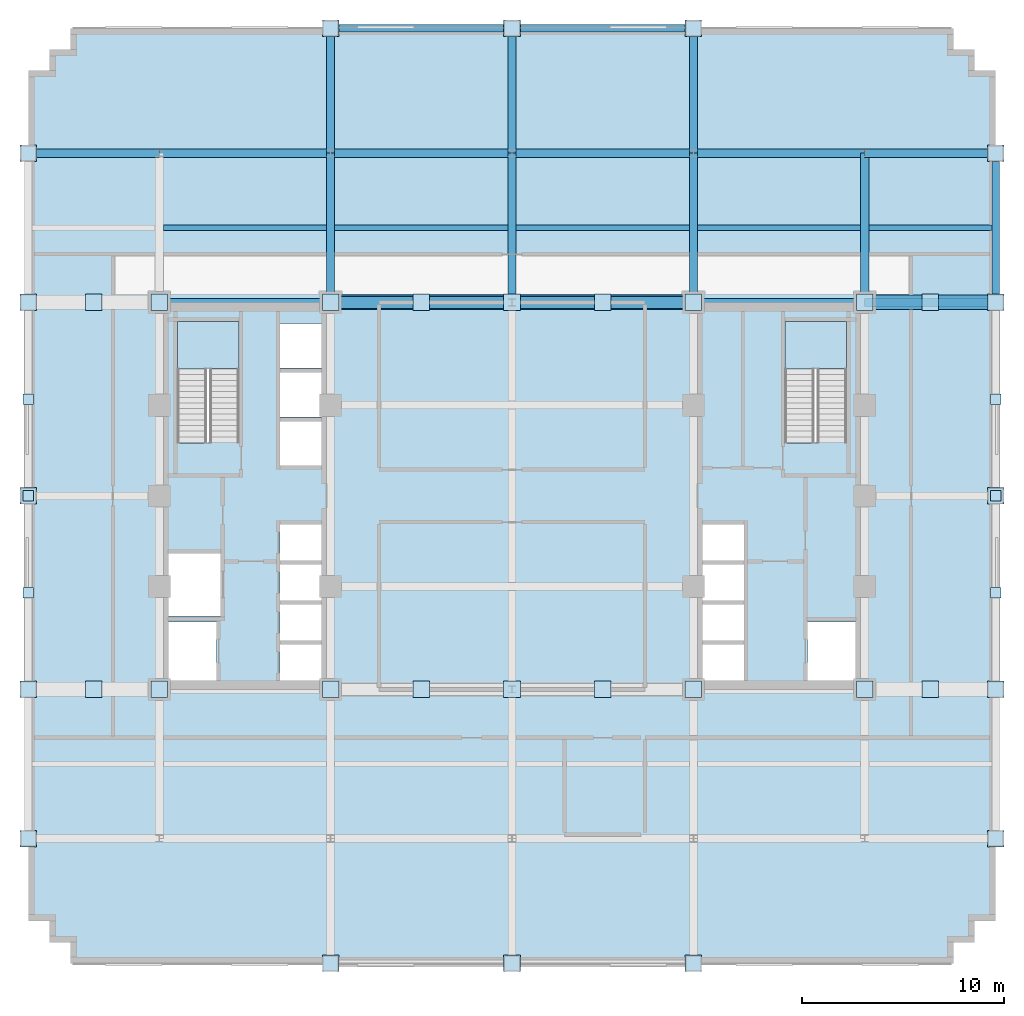
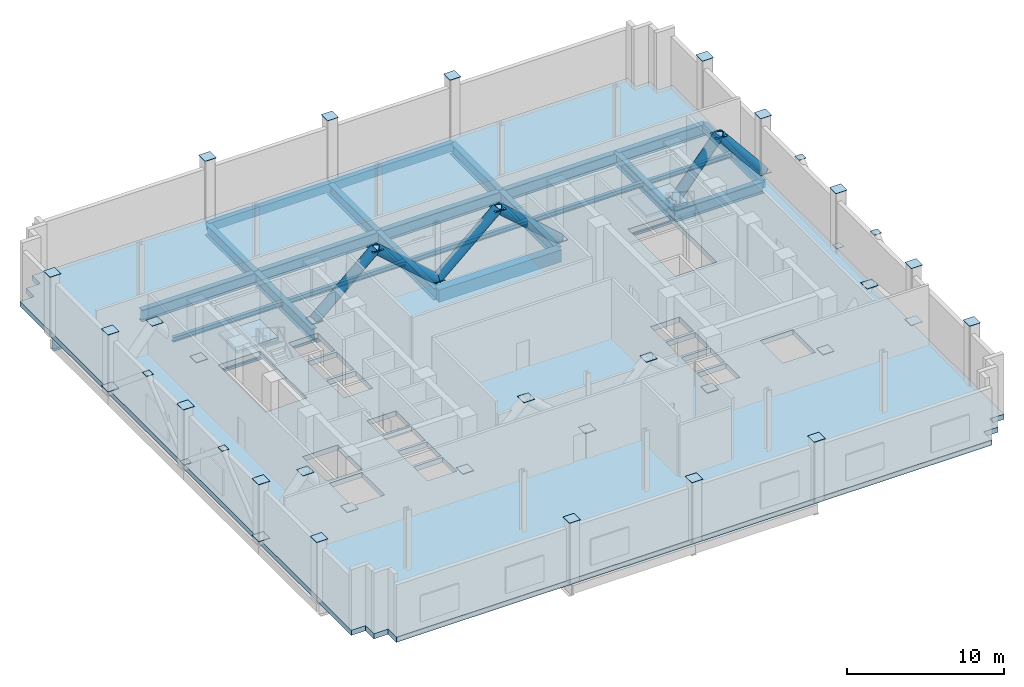
# One storey, part 5 of 12: 44 plates, 26 beams, 6 members, 3 slabs, 2 elements without a shape of their own.
"""IFC4 building model written with IfcOpenShell, lengths in metres."""

from ifc_helpers import new_model, si_unit, direction, frame, origin, origin_2d, place, context, subcontext, project, spatial, polyline, rectangle, hollow_circle, i_section, outline, extrude, source, transform, mapped, material, layer, layer_set, material_profile, profile_set, type_object, type_shapes, element, aggregate, save


model = new_model("IFC4")

# Units and contexts
model_context = context("Model", 3, precision=1e-05, world=origin(), true_north=direction((0.0, 1.0)))
body_context = subcontext(model_context, "Body", "Model", "MODEL_VIEW")
ifc_project = project(units=[si_unit("LENGTHUNIT", "METRE"), si_unit("AREAUNIT", "SQUARE_METRE"), si_unit("VOLUMEUNIT", "CUBIC_METRE"), si_unit("PLANEANGLEUNIT", "RADIAN"), si_unit("MASSUNIT", "GRAM", prefix="KILO")], contexts=[model_context])

# Site, building, storey
site_placement = place(None, origin())
site = spatial("IfcSite", under=ifc_project, at=site_placement, CompositionType="ELEMENT")
building_placement = place(site_placement, origin())
building = spatial("IfcBuilding", under=site, at=building_placement, Name="Nuvemarco Arch Tower", CompositionType="ELEMENT")
storey_placement = place(building_placement, frame((0.0, 0.0, 93.300048828125)))
storey = spatial("IfcBuildingStorey", under=building, at=storey_placement, Name="L24", CompositionType="ELEMENT", Elevation=93.300048828125)

# Beams
ifc_material_1 = material(Name="Concrete C60/75", Category="concrete")
ifc_material_profile_1 = material_profile(ifc_material_1, rectangle(XDim=0.60009765625, YDim=0.949951171875, at=origin_2d()), Name="RC-BM-600x950")
ifc_profile_set_1 = profile_set([ifc_material_profile_1], Name="Concrete C60/75")
beam_type_1 = type_object("IfcBeamType", Name="BM-COUP-RC", PredefinedType="LINTEL", material=ifc_profile_set_1)
for number, where, z_axis, x_axis, name in (
    (1, (-9.0, 9.60009765625, -0.875), (1.0, 0.0, 0.0), (0.0, 1.0, 0.0), "L24 structural beam BGEW_L24_0_+9.6_-9.0"),
    (2, (0.0, 9.60009765625, -0.875), (1.0, 0.0, 0.0), (0.0, 1.0, 0.0), "L24 structural beam BGEW_L24_0_+9.6_+0.0"),
):
    element("IfcBeam", number, at=place(storey_placement, frame(where, z_axis=z_axis, x_axis=x_axis)), inside=storey, type_object=beam_type_1, Name=name, PredefinedType="LINTEL", context=body_context, shape_type="SweptSolid", body=[
        extrude(rectangle(XDim=0.60009765625, YDim=0.949951171875, at=origin_2d()), origin(), (0.0, 0.0, 1.0), 9.0),
    ])
ifc_material_2 = material(Name="Steel S355", Category="steel")
ifc_material_profile_2 = material_profile(ifc_material_2, i_section(OverallWidth=0.39990234375, OverallDepth=0.89990234375, WebThickness=0.02197265625, FlangeThickness=0.035888671875, FilletRadius=0.01611328125, at=origin_2d()), Name="PG900x400")
ifc_profile_set_2 = profile_set([ifc_material_profile_2], Name="Steel S355")
beam_type_2 = type_object("IfcBeamType", Name="BM-GIRD-900", PredefinedType="BEAM", material=ifc_profile_set_2)
beam_1_placement = place(storey_placement, frame((-9.0, 9.60009765625, -0.85009765625), z_axis=(0.0, 1.0, 0.0), x_axis=(-1.0, 0.0, 0.0)))
element("IfcBeam", 3, at=beam_1_placement, inside=storey, type_object=beam_type_2, Name="L24 structural beam BGNS_L24_0_-9.0_+9.6", PredefinedType="BEAM", context=body_context, shape_type="SweptSolid", body=[
    extrude(i_section(OverallWidth=0.39990234375, OverallDepth=0.89990234375, WebThickness=0.02197265625, FlangeThickness=0.035888671875, FilletRadius=0.01611328125, at=origin_2d()), origin(), (0.0, 0.0, 1.0), 7.39990234375),
])
beam_2_placement = place(storey_placement, frame((-9.0, 17.0, -0.85009765625), z_axis=(0.0, 1.0, 0.0), x_axis=(-1.0, 0.0, 0.0)))
element("IfcBeam", 4, at=beam_2_placement, inside=storey, type_object=beam_type_2, Name="L24 structural beam BGNS_L24_0_-9.0_+17.0", PredefinedType="BEAM", context=body_context, shape_type="SweptSolid", body=[
    extrude(i_section(OverallWidth=0.39990234375, OverallDepth=0.89990234375, WebThickness=0.02197265625, FlangeThickness=0.035888671875, FilletRadius=0.01611328125, at=origin_2d()), origin(), (0.0, 0.0, 1.0), 6.199951171875),
])
beam_3_placement = place(storey_placement, frame((0.0, 9.60009765625, -0.85009765625), z_axis=(0.0, 1.0, 0.0), x_axis=(-1.0, 0.0, 0.0)))
element("IfcBeam", 5, at=beam_3_placement, inside=storey, type_object=beam_type_2, Name="L24 structural beam BGNS_L24_0_+0.0_+9.6", PredefinedType="BEAM", context=body_context, shape_type="SweptSolid", body=[
    extrude(i_section(OverallWidth=0.39990234375, OverallDepth=0.89990234375, WebThickness=0.02197265625, FlangeThickness=0.035888671875, FilletRadius=0.01611328125, at=origin_2d()), origin(), (0.0, 0.0, 1.0), 7.39990234375),
])
beam_4_placement = place(storey_placement, frame((0.0, 17.0, -0.85009765625), z_axis=(0.0, 1.0, 0.0), x_axis=(-1.0, 0.0, 0.0)))
element("IfcBeam", 6, at=beam_4_placement, inside=storey, type_object=beam_type_2, Name="L24 structural beam BGNS_L24_0_+0.0_+17.0", PredefinedType="BEAM", context=body_context, shape_type="SweptSolid", body=[
    extrude(i_section(OverallWidth=0.39990234375, OverallDepth=0.89990234375, WebThickness=0.02197265625, FlangeThickness=0.035888671875, FilletRadius=0.01611328125, at=origin_2d()), origin(), (0.0, 0.0, 1.0), 6.199951171875),
])
beam_5_placement = place(storey_placement, frame((9.0, 9.60009765625, -0.85009765625), z_axis=(0.0, 1.0, 0.0), x_axis=(-1.0, 0.0, 0.0)))
element("IfcBeam", 7, at=beam_5_placement, inside=storey, type_object=beam_type_2, Name="L24 structural beam BGNS_L24_0_+9.0_+9.6", PredefinedType="BEAM", context=body_context, shape_type="SweptSolid", body=[
    extrude(i_section(OverallWidth=0.39990234375, OverallDepth=0.89990234375, WebThickness=0.02197265625, FlangeThickness=0.035888671875, FilletRadius=0.01611328125, at=origin_2d()), origin(), (0.0, 0.0, 1.0), 7.39990234375),
])
beam_6_placement = place(storey_placement, frame((9.0, 17.0, -0.85009765625), z_axis=(0.0, 1.0, 0.0), x_axis=(-1.0, 0.0, 0.0)))
element("IfcBeam", 8, at=beam_6_placement, inside=storey, type_object=beam_type_2, Name="L24 structural beam BGNS_L24_0_+9.0_+17.0", PredefinedType="BEAM", context=body_context, shape_type="SweptSolid", body=[
    extrude(i_section(OverallWidth=0.39990234375, OverallDepth=0.89990234375, WebThickness=0.02197265625, FlangeThickness=0.035888671875, FilletRadius=0.01611328125, at=origin_2d()), origin(), (0.0, 0.0, 1.0), 6.199951171875),
])
beam_7_placement = place(storey_placement, frame((17.5, 9.60009765625, -0.85009765625), z_axis=(0.0, 1.0, 0.0), x_axis=(-1.0, 0.0, 0.0)))
element("IfcBeam", 9, at=beam_7_placement, inside=storey, type_object=beam_type_2, Name="L24 structural beam BGNS_L24_0_+17.5_+9.6", PredefinedType="BEAM", context=body_context, shape_type="SweptSolid", body=[
    extrude(i_section(OverallWidth=0.39990234375, OverallDepth=0.89990234375, WebThickness=0.02197265625, FlangeThickness=0.035888671875, FilletRadius=0.01611328125, at=origin_2d()), origin(), (0.0, 0.0, 1.0), 7.39990234375),
])
for number, where, z_axis, x_axis, name in (
    (10, (-17.5, 9.60009765625, -0.85009765625), (1.0, 0.0, 0.0), (0.0, 1.0, 0.0), "L24 structural beam BGEW_L24_0_+9.6_-17.5"),
    (11, (9.0, 9.60009765625, -0.85009765625), (1.0, 0.0, 0.0), (0.0, 1.0, 0.0), "L24 structural beam BGEW_L24_0_+9.6_+9.0"),
):
    element("IfcBeam", number, at=place(storey_placement, frame(where, z_axis=z_axis, x_axis=x_axis)), inside=storey, type_object=beam_type_2, Name=name, PredefinedType="BEAM", context=body_context, shape_type="SweptSolid", body=[
        extrude(i_section(OverallWidth=0.39990234375, OverallDepth=0.89990234375, WebThickness=0.02197265625, FlangeThickness=0.035888671875, FilletRadius=0.01611328125, at=origin_2d()), origin(), (0.0, 0.0, 1.0), 8.5),
    ])
for number, where, z_axis, x_axis, name in (
    (12, (17.5, 9.60009765625, -0.85009765625), (1.0, 0.0, 0.0), (0.0, 1.0, 0.0), "L24 structural beam BGEW_L24_0_+9.6_+17.5"),
    (13, (-24.0, 17.0, -0.85009765625), (1.0, 0.0, 0.0), (0.0, 1.0, 0.0), "L24 structural beam BGEW_L24_0_+17.0_-24.0"),
):
    element("IfcBeam", number, at=place(storey_placement, frame(where, z_axis=z_axis, x_axis=x_axis)), inside=storey, type_object=beam_type_2, Name=name, PredefinedType="BEAM", context=body_context, shape_type="SweptSolid", body=[
        extrude(i_section(OverallWidth=0.39990234375, OverallDepth=0.89990234375, WebThickness=0.02197265625, FlangeThickness=0.035888671875, FilletRadius=0.01611328125, at=origin_2d()), origin(), (0.0, 0.0, 1.0), 6.5),
    ])
beam_8_placement = place(storey_placement, frame((-17.5, 17.0, -0.85009765625), z_axis=(1.0, 0.0, 0.0), x_axis=(0.0, 1.0, 0.0)))
element("IfcBeam", 14, at=beam_8_placement, inside=storey, type_object=beam_type_2, Name="L24 structural beam BGEW_L24_0_+17.0_-17.5", PredefinedType="BEAM", context=body_context, shape_type="SweptSolid", body=[
    extrude(i_section(OverallWidth=0.39990234375, OverallDepth=0.89990234375, WebThickness=0.02197265625, FlangeThickness=0.035888671875, FilletRadius=0.01611328125, at=origin_2d()), origin(), (0.0, 0.0, 1.0), 8.5),
])
for number, where, z_axis, x_axis, name in (
    (15, (-9.0, 17.0, -0.85009765625), (1.0, 0.0, 0.0), (0.0, 1.0, 0.0), "L24 structural beam BGEW_L24_0_+17.0_-9.0"),
    (16, (0.0, 17.0, -0.85009765625), (1.0, 0.0, 0.0), (0.0, 1.0, 0.0), "L24 structural beam BGEW_L24_0_+17.0_+0.0"),
):
    element("IfcBeam", number, at=place(storey_placement, frame(where, z_axis=z_axis, x_axis=x_axis)), inside=storey, type_object=beam_type_2, Name=name, PredefinedType="BEAM", context=body_context, shape_type="SweptSolid", body=[
        extrude(i_section(OverallWidth=0.39990234375, OverallDepth=0.89990234375, WebThickness=0.02197265625, FlangeThickness=0.035888671875, FilletRadius=0.01611328125, at=origin_2d()), origin(), (0.0, 0.0, 1.0), 9.0),
    ])
beam_9_placement = place(storey_placement, frame((9.0, 17.0, -0.85009765625), z_axis=(1.0, 0.0, 0.0), x_axis=(0.0, 1.0, 0.0)))
element("IfcBeam", 17, at=beam_9_placement, inside=storey, type_object=beam_type_2, Name="L24 structural beam BGEW_L24_0_+17.0_+9.0", PredefinedType="BEAM", context=body_context, shape_type="SweptSolid", body=[
    extrude(i_section(OverallWidth=0.39990234375, OverallDepth=0.89990234375, WebThickness=0.02197265625, FlangeThickness=0.035888671875, FilletRadius=0.01611328125, at=origin_2d()), origin(), (0.0, 0.0, 1.0), 8.5),
])
beam_10_placement = place(storey_placement, frame((17.5, 17.0, -0.85009765625), z_axis=(1.0, 0.0, 0.0), x_axis=(0.0, 1.0, 0.0)))
element("IfcBeam", 18, at=beam_10_placement, inside=storey, type_object=beam_type_2, Name="L24 structural beam BGEW_L24_0_+17.0_+17.5", PredefinedType="BEAM", context=body_context, shape_type="SweptSolid", body=[
    extrude(i_section(OverallWidth=0.39990234375, OverallDepth=0.89990234375, WebThickness=0.02197265625, FlangeThickness=0.035888671875, FilletRadius=0.01611328125, at=origin_2d()), origin(), (0.0, 0.0, 1.0), 6.5),
])
ifc_material_profile_3 = material_profile(ifc_material_2, i_section(OverallWidth=0.2548828125, OverallDepth=0.35693359375, WebThickness=0.010498046875, FlangeThickness=0.018310546875, FilletRadius=0.014892578125, at=origin_2d()), Name="W360x101")
ifc_profile_set_3 = profile_set([ifc_material_profile_3], Name="Steel S355")
beam_type_3 = type_object("IfcBeamType", Name="BM-JOIST-360H", PredefinedType="JOIST", material=ifc_profile_set_3)
beam_11_placement = place(storey_placement, frame((-17.300048828125, 13.300048828125, -0.57861328125), z_axis=(1.0, 0.0, 0.0), x_axis=(0.0, 1.0, 0.0)))
element("IfcBeam", 19, at=beam_11_placement, inside=storey, type_object=beam_type_3, Name="L24 structural beam BJ_L24_0_+13.3_-17.5", PredefinedType="JOIST", context=body_context, shape_type="SweptSolid", body=[
    extrude(i_section(OverallWidth=0.2548828125, OverallDepth=0.35693359375, WebThickness=0.010498046875, FlangeThickness=0.018310546875, FilletRadius=0.014892578125, at=origin_2d()), origin(), (0.0, 0.0, 1.0), 8.10009765625),
])
for number, where, z_axis, x_axis, name in (
    (20, (-8.800048828125, 13.300048828125, -0.57861328125), (1.0, 0.0, 0.0), (0.0, 1.0, 0.0), "L24 structural beam BJ_L24_0_+13.3_-9.0"),
    (21, (0.199951171875, 13.300048828125, -0.57861328125), (1.0, 0.0, 0.0), (0.0, 1.0, 0.0), "L24 structural beam BJ_L24_0_+13.3_+0.0"),
):
    element("IfcBeam", number, at=place(storey_placement, frame(where, z_axis=z_axis, x_axis=x_axis)), inside=storey, type_object=beam_type_3, Name=name, PredefinedType="JOIST", context=body_context, shape_type="SweptSolid", body=[
        extrude(i_section(OverallWidth=0.2548828125, OverallDepth=0.35693359375, WebThickness=0.010498046875, FlangeThickness=0.018310546875, FilletRadius=0.014892578125, at=origin_2d()), origin(), (0.0, 0.0, 1.0), 8.60009765625),
    ])
beam_12_placement = place(storey_placement, frame((9.199951171875, 13.300048828125, -0.57861328125), z_axis=(1.0, 0.0, 0.0), x_axis=(0.0, 1.0, 0.0)))
element("IfcBeam", 22, at=beam_12_placement, inside=storey, type_object=beam_type_3, Name="L24 structural beam BJ_L24_0_+13.3_+9.0", PredefinedType="JOIST", context=body_context, shape_type="SweptSolid", body=[
    extrude(i_section(OverallWidth=0.2548828125, OverallDepth=0.35693359375, WebThickness=0.010498046875, FlangeThickness=0.018310546875, FilletRadius=0.014892578125, at=origin_2d()), origin(), (0.0, 0.0, 1.0), 8.10009765625),
])
beam_13_placement = place(storey_placement, frame((17.699951171875, 13.300048828125, -0.57861328125), z_axis=(1.0, 0.0, 0.0), x_axis=(0.0, 1.0, 0.0)))
element("IfcBeam", 23, at=beam_13_placement, inside=storey, type_object=beam_type_3, Name="L24 structural beam BJ_L24_0_+13.3_+17.5", PredefinedType="JOIST", context=body_context, shape_type="SweptSolid", body=[
    extrude(i_section(OverallWidth=0.2548828125, OverallDepth=0.35693359375, WebThickness=0.010498046875, FlangeThickness=0.018310546875, FilletRadius=0.014892578125, at=origin_2d()), origin(), (0.0, 0.0, 1.0), 6.125),
])
ifc_material_3 = material(Name="Precast concrete C45/55", Category="concrete")
ifc_material_profile_4 = material_profile(ifc_material_3, rectangle(XDim=0.35009765625, YDim=0.64990234375, at=origin_2d()), Name="PC-SP-350x650")
ifc_profile_set_4 = profile_set([ifc_material_profile_4], Name="Precast concrete C45/55")
beam_type_4 = type_object("IfcBeamType", Name="BM-SPAN-RC", PredefinedType="SPANDREL", material=ifc_profile_set_4)
beam_14_placement = place(storey_placement, frame((24.0, 9.60009765625, -0.72509765625), z_axis=(0.0, 1.0, 0.0), x_axis=(-1.0, 0.0, 0.0)))
element("IfcBeam", 24, at=beam_14_placement, inside=storey, type_object=beam_type_4, Name="L24 structural beam BGNS_L24_0_+24.0_+9.6", PredefinedType="SPANDREL", context=body_context, shape_type="SweptSolid", body=[
    extrude(rectangle(XDim=0.35009765625, YDim=0.64990234375, at=origin_2d()), origin(), (0.0, 0.0, 1.0), 7.39990234375),
])
for number, where, z_axis, x_axis, name in (
    (25, (-9.0, 23.199951171875, -0.72509765625), (1.0, 0.0, 0.0), (0.0, 1.0, 0.0), "L24 structural beam BGEW_L24_0_+23.2_-9.0"),
    (26, (0.0, 23.199951171875, -0.72509765625), (1.0, 0.0, 0.0), (0.0, 1.0, 0.0), "L24 structural beam BGEW_L24_0_+23.2_+0.0"),
):
    element("IfcBeam", number, at=place(storey_placement, frame(where, z_axis=z_axis, x_axis=x_axis)), inside=storey, type_object=beam_type_4, Name=name, PredefinedType="SPANDREL", context=body_context, shape_type="SweptSolid", body=[
        extrude(rectangle(XDim=0.35009765625, YDim=0.64990234375, at=origin_2d()), origin(), (0.0, 0.0, 1.0), 9.0),
    ])

# Members
ifc_material_4 = material(Name="Steel S460", Category="steel")
ifc_material_profile_5 = material_profile(ifc_material_4, hollow_circle(Radius=0.35546875, WallThickness=0.050048828125, at=origin_2d()), Name="CHS711x50")
ifc_profile_set_5 = profile_set([ifc_material_profile_5], Name="Steel S460")
member_type = type_object("IfcMemberType", Name="MB-OUTRIGGER-1", PredefinedType="BRACE", material=ifc_profile_set_5)
for number, where, z_axis, x_axis, name in (
    (27, (17.5, 9.60009765625, 0.300048828125), (0.633452841033, 0.0, 0.77378129868), (0.0, 1.0, 0.0), "L24 outrigger truss brace east 1"),
    (28, (20.75, 9.60009765625, 4.27001953125), (0.633452841033, 0.0, -0.77378129868), (0.0, 1.0, 0.0), "L24 outrigger truss brace east 2"),
):
    element("IfcMember", number, at=place(storey_placement, frame(where, z_axis=z_axis, x_axis=x_axis)), inside=storey, type_object=member_type, Name=name, PredefinedType="BRACE", context=body_context, shape_type="SweptSolid", body=[
        extrude(hollow_circle(Radius=0.35546875, WallThickness=0.050048828125, at=origin_2d()), origin(), (0.0, 0.0, 1.0), 5.130615234375),
    ])
for number, where, z_axis, x_axis, name in (
    (29, (-9.0, 9.60009765625, 0.300048828125), (0.749888906109, 0.0, 0.661563775078), (0.0, 1.0, 0.0), "L24 central outrigger link truss brace 1"),
    (30, (-4.5, 9.60009765625, 4.27001953125), (0.749888906109, 0.0, -0.661563775078), (0.0, 1.0, 0.0), "L24 central outrigger link truss brace 2"),
    (31, (0.0, 9.60009765625, 0.300048828125), (0.749888906109, 0.0, 0.661563775078), (0.0, 1.0, 0.0), "L24 central outrigger link truss brace 3"),
    (32, (4.5, 9.60009765625, 4.27001953125), (0.749888906109, 0.0, -0.661563775078), (0.0, 1.0, 0.0), "L24 central outrigger link truss brace 4"),
):
    element("IfcMember", number, at=place(storey_placement, frame(where, z_axis=z_axis, x_axis=x_axis)), inside=storey, type_object=member_type, Name=name, PredefinedType="BRACE", context=body_context, shape_type="SweptSolid", body=[
        extrude(hollow_circle(Radius=0.35546875, WallThickness=0.050048828125, at=origin_2d()), origin(), (0.0, 0.0, 1.0), 6.0009765625),
    ])

# Slab
ifc_layer_1 = layer(ifc_material_1, 0.39990234375, Name="SL-FLR-400")
ifc_layer_set_1 = layer_set([ifc_layer_1], Name="Concrete C60/75")
slab_type_1 = type_object("IfcSlabType", Name="SL-FLR-400", PredefinedType="FLOOR", material=ifc_layer_set_1)
slab_1_placement = place(storey_placement, frame((0.0, 0.0, -0.400146484375)))
element("IfcSlab", 33, at=slab_1_placement, inside=storey, type_object=slab_type_1, Name="L24 structural floor slab", PredefinedType="FLOOR", context=body_context, shape_type="SweptSolid", body=[
    extrude(outline(polyline([(-21.89990234375, -23.199951171875), (21.89990234375, -23.199951171875), (21.89990234375, -22.14990234375), (22.949951171875, -22.14990234375), (22.949951171875, -21.10009765625), (24.0, -21.10009765625), (24.0, 21.10009765625), (22.949951171875, 21.10009765625), (22.949951171875, 22.14990234375), (21.89990234375, 22.14990234375), (21.89990234375, 23.199951171875), (-21.89990234375, 23.199951171875), (-21.89990234375, 22.14990234375), (-22.949951171875, 22.14990234375), (-22.949951171875, 21.10009765625), (-24.0, 21.10009765625), (-24.0, -21.10009765625), (-22.949951171875, -21.10009765625), (-22.949951171875, -22.14990234375), (-21.89990234375, -22.14990234375), (-21.89990234375, -23.199951171875)]), holes=[polyline([(-13.5400390625, 2.669921875), (-13.5400390625, 8.64990234375), (-16.60009765625, 8.64990234375), (-16.60009765625, 2.630615234375), (-15.070068359375, 2.630615234375), (-15.070068359375, 2.669921875), (-13.5400390625, 2.669921875)]), polyline([(16.60009765625, 2.669921875), (16.60009765625, 8.64990234375), (13.5400390625, 8.64990234375), (13.5400390625, 2.630615234375), (15.070068359375, 2.630615234375), (15.070068359375, 2.669921875), (16.60009765625, 2.669921875)]), polyline([(-17.050048828125, -9.14990234375), (-14.64990234375, -9.14990234375), (-14.64990234375, -6.25), (-17.050048828125, -6.25), (-17.050048828125, -9.14990234375)]), polyline([(-17.050048828125, -5.949951171875), (-14.449951171875, -5.949951171875), (-14.449951171875, -2.85009765625), (-17.050048828125, -2.85009765625), (-17.050048828125, -5.949951171875)]), polyline([(-11.5, -9.14990234375), (-9.35009765625, -9.14990234375), (-9.35009765625, -7.3701171875), (-11.5, -7.3701171875), (-11.5, -9.14990234375)]), polyline([(-11.5, -7.169921875), (-9.35009765625, -7.169921875), (-9.35009765625, -5.389892578125), (-11.5, -5.389892578125), (-11.5, -7.169921875)]), polyline([(-11.5, -5.18994140625), (-9.35009765625, -5.18994140625), (-9.35009765625, -3.409912109375), (-11.5, -3.409912109375), (-11.5, -5.18994140625)]), polyline([(-11.5, -3.2099609375), (-9.35009765625, -3.2099609375), (-9.35009765625, -1.429931640625), (-11.5, -1.429931640625), (-11.5, -3.2099609375)]), polyline([(-11.5, 1.5), (-9.35009765625, 1.5), (-9.35009765625, 3.699951171875), (-11.5, 3.699951171875), (-11.5, 1.5)]), polyline([(-11.5, 3.919921875), (-9.35009765625, 3.919921875), (-9.35009765625, 6.1201171875), (-11.5, 6.1201171875), (-11.5, 3.919921875)]), polyline([(-11.5, 6.340087890625), (-9.35009765625, 6.340087890625), (-9.35009765625, 8.5400390625), (-11.5, 8.5400390625), (-11.5, 6.340087890625)]), polyline([(14.64990234375, -9.14990234375), (17.050048828125, -9.14990234375), (17.050048828125, -6.25), (14.64990234375, -6.25), (14.64990234375, -9.14990234375)]), polyline([(9.35009765625, -9.14990234375), (11.5, -9.14990234375), (11.5, -7.3701171875), (9.35009765625, -7.3701171875), (9.35009765625, -9.14990234375)]), polyline([(9.35009765625, -7.169921875), (11.5, -7.169921875), (11.5, -5.389892578125), (9.35009765625, -5.389892578125), (9.35009765625, -7.169921875)]), polyline([(9.35009765625, -5.18994140625), (11.5, -5.18994140625), (11.5, -3.409912109375), (9.35009765625, -3.409912109375), (9.35009765625, -5.18994140625)]), polyline([(9.35009765625, -3.2099609375), (11.5, -3.2099609375), (11.5, -1.429931640625), (9.35009765625, -1.429931640625), (9.35009765625, -3.2099609375)])]), origin(), (0.0, 0.0, 1.0), 0.400146484375),
])

# Stair, slab
stair_type = type_object("IfcStairType", Name="ST-CORE-28R", PredefinedType="HALF_TURN_STAIR", material=ifc_material_3)
stair_1_placement = place(storey_placement, origin())
stair_1 = element("IfcStair", 34, at=stair_1_placement, inside=storey, type_object=stair_type, Name="L24 Protected Exit Stair ST-1", PredefinedType="HALF_TURN_STAIR")
ifc_layer_2 = layer(ifc_material_3, 0.199951171875, Name="SL-LANDING-200")
ifc_layer_set_2 = layer_set([ifc_layer_2], Name="Precast concrete C45/55")
slab_type_2 = type_object("IfcSlabType", Name="SL-LANDING-200", PredefinedType="LANDING", material=ifc_layer_set_2)
slab_2_placement = place(storey_placement, frame((0.0, 0.0, 2.300048828125)))
slab_2 = element("IfcSlab", 35, at=slab_2_placement, type_object=slab_type_2, Name="ST-28R landing 1", PredefinedType="LANDING", context=body_context, shape_type="SweptSolid", body=[
    extrude(outline(polyline([(-13.5400390625, 6.309326171875), (-13.5400390625, 8.64990234375), (-16.60009765625, 8.64990234375), (-16.60009765625, 6.2900390625), (-15.070068359375, 6.2900390625), (-15.070068359375, 6.309326171875), (-13.5400390625, 6.309326171875)])), origin(), (0.0, 0.0, 1.0), 0.199951171875),
])
aggregate(stair_1, [slab_2])

stair_2_placement = place(storey_placement, origin())
stair_2 = element("IfcStair", 36, at=stair_2_placement, inside=storey, type_object=stair_type, Name="L24 Protected Exit Stair ST-2", PredefinedType="HALF_TURN_STAIR")
slab_3_placement = place(storey_placement, frame((0.0, 0.0, 2.300048828125)))
slab_3 = element("IfcSlab", 37, at=slab_3_placement, type_object=slab_type_2, Name="ST-28R landing 1", PredefinedType="LANDING", context=body_context, shape_type="SweptSolid", body=[
    extrude(outline(polyline([(16.60009765625, 6.309326171875), (16.60009765625, 8.64990234375), (13.5400390625, 8.64990234375), (13.5400390625, 6.2900390625), (15.070068359375, 6.2900390625), (15.070068359375, 6.309326171875), (16.60009765625, 6.309326171875)])), origin(), (0.0, 0.0, 1.0), 0.199951171875),
])
aggregate(stair_2, [slab_3])

# Plates
ifc_layer_3 = layer(ifc_material_4, 0.030029296875, Name="PL-CAP-800-EXT")
ifc_layer_set_3 = layer_set([ifc_layer_3], Name="Steel S460")
plate_type_1 = type_object("IfcPlateType", Name="PL-CAP-800-EXT", PredefinedType="SHEET", material=ifc_layer_set_3)
shared_shape_1 = source(origin(), body_context, "Body", "SweptSolid", [
    extrude(rectangle(XDim=0.820068359375, YDim=0.820068359375, at=origin_2d()), origin(), (0.0, 0.0, 1.0), 0.030029296875),
])
type_shapes(plate_type_1, [shared_shape_1])
for number, where, z_axis, x_axis, name in (
    (38, (-24.0, -17.0, 4.705078125), (0.0, 0.0, 1.0), (1.0, 0.0, 0.0), "Hollow steel end-cap plate COL-L24-CX_-24.0_-17.0_TOP"),
    (39, (-24.0, -9.60009765625, 4.705078125), (0.0, 0.0, 1.0), (1.0, 0.0, 0.0), "Hollow steel end-cap plate COL-L24-CX_-24.0_-9.6_TOP"),
    (40, (-24.0, 0.0, 4.705078125), (0.0, 0.0, 1.0), (1.0, 0.0, 0.0), "Hollow steel end-cap plate COL-L24-CX_-24.0_+0.0_TOP"),
    (41, (-24.0, 9.60009765625, 4.705078125), (0.0, 0.0, 1.0), (1.0, 0.0, 0.0), "Hollow steel end-cap plate COL-L24-CX_-24.0_+9.6_TOP"),
    (42, (-24.0, 17.0, 4.705078125), (0.0, 0.0, 1.0), (1.0, 0.0, 0.0), "Hollow steel end-cap plate COL-L24-CX_-24.0_+17.0_TOP"),
    (43, (24.0, -17.0, 4.705078125), (0.0, 0.0, 1.0), (1.0, 0.0, 0.0), "Hollow steel end-cap plate COL-L24-CX_+24.0_-17.0_TOP"),
    (44, (24.0, -9.60009765625, 4.705078125), (0.0, 0.0, 1.0), (1.0, 0.0, 0.0), "Hollow steel end-cap plate COL-L24-CX_+24.0_-9.6_TOP"),
    (45, (24.0, 0.0, 4.705078125), (0.0, 0.0, 1.0), (1.0, 0.0, 0.0), "Hollow steel end-cap plate COL-L24-CX_+24.0_+0.0_TOP"),
    (46, (24.0, 9.60009765625, 4.705078125), (0.0, 0.0, 1.0), (1.0, 0.0, 0.0), "Hollow steel end-cap plate COL-L24-CX_+24.0_+9.6_TOP"),
    (47, (24.0, 17.0, 4.705078125), (0.0, 0.0, 1.0), (1.0, 0.0, 0.0), "Hollow steel end-cap plate COL-L24-CX_+24.0_+17.0_TOP"),
    (48, (-9.0, -23.199951171875, 4.705078125), (0.0, 0.0, 1.0), (1.0, 0.0, 0.0), "Hollow steel end-cap plate COL-L24-CY_-9.0_-23.2_TOP"),
    (49, (0.0, -23.199951171875, 4.705078125), (0.0, 0.0, 1.0), (1.0, 0.0, 0.0), "Hollow steel end-cap plate COL-L24-CY_+0.0_-23.2_TOP"),
    (50, (9.0, -23.199951171875, 4.705078125), (0.0, 0.0, 1.0), (1.0, 0.0, 0.0), "Hollow steel end-cap plate COL-L24-CY_+9.0_-23.2_TOP"),
    (51, (-9.0, 23.199951171875, 4.705078125), (0.0, 0.0, 1.0), (1.0, 0.0, 0.0), "Hollow steel end-cap plate COL-L24-CY_-9.0_+23.2_TOP"),
    (52, (0.0, 23.199951171875, 4.705078125), (0.0, 0.0, 1.0), (1.0, 0.0, 0.0), "Hollow steel end-cap plate COL-L24-CY_+0.0_+23.2_TOP"),
    (53, (9.0, 23.199951171875, 4.705078125), (0.0, 0.0, 1.0), (1.0, 0.0, 0.0), "Hollow steel end-cap plate COL-L24-CY_+9.0_+23.2_TOP"),
):
    element("IfcPlate", number, at=place(storey_placement, frame(where, z_axis=z_axis, x_axis=x_axis)), inside=storey, type_object=plate_type_1, Name=name, PredefinedType="SHEET", context=body_context, shape_type="MappedRepresentation", body=[
        mapped(shared_shape_1, transform((0.0, 0.0, 0.0), scale=1.0)),
    ])
ifc_layer_4 = layer(ifc_material_2, 0.030029296875, Name="PL-CAP-500-EXT")
ifc_layer_set_4 = layer_set([ifc_layer_4], Name="Steel S355")
plate_type_2 = type_object("IfcPlateType", Name="PL-CAP-500-EXT", PredefinedType="SHEET", material=ifc_layer_set_4)
shared_shape_2 = source(origin(), body_context, "Body", "SweptSolid", [
    extrude(rectangle(XDim=0.52001953125, YDim=0.52001953125, at=origin_2d()), origin(), (0.0, 0.0, 1.0), 0.030029296875),
])
type_shapes(plate_type_2, [shared_shape_2])
for number, where, z_axis, x_axis, name in (
    (54, (-24.0, -4.800048828125, 4.2548828125), (0.0, 0.0, 1.0), (1.0, 0.0, 0.0), "Hollow steel end-cap plate BLT_L24_W_0_C1"),
    (55, (-24.0, 0.0, 0.28515625), (0.0, 0.0, 1.0), (1.0, 0.0, 0.0), "Hollow steel end-cap plate BLT_L24_W_1_C1"),
    (56, (-24.0, 4.800048828125, 4.2548828125), (0.0, 0.0, 1.0), (1.0, 0.0, 0.0), "Hollow steel end-cap plate BLT_L24_W_2_C1"),
    (57, (24.0, -4.800048828125, 4.2548828125), (0.0, 0.0, 1.0), (1.0, 0.0, 0.0), "Hollow steel end-cap plate BLT_L24_E_0_C1"),
    (58, (24.0, 0.0, 0.28515625), (0.0, 0.0, 1.0), (1.0, 0.0, 0.0), "Hollow steel end-cap plate BLT_L24_E_1_C1"),
    (59, (24.0, 4.800048828125, 4.2548828125), (0.0, 0.0, 1.0), (1.0, 0.0, 0.0), "Hollow steel end-cap plate BLT_L24_E_2_C1"),
):
    element("IfcPlate", number, at=place(storey_placement, frame(where, z_axis=z_axis, x_axis=x_axis)), inside=storey, type_object=plate_type_2, Name=name, PredefinedType="SHEET", context=body_context, shape_type="MappedRepresentation", body=[
        mapped(shared_shape_2, transform((0.0, 0.0, 0.0), scale=1.0)),
    ])
ifc_layer_5 = layer(ifc_material_4, 0.030029296875, Name="PL-CAP-800")
ifc_layer_set_5 = layer_set([ifc_layer_5], Name="Steel S460")
plate_type_3 = type_object("IfcPlateType", Name="PL-CAP-800", PredefinedType="SHEET", material=ifc_layer_set_5)
shared_shape_3 = source(origin(), body_context, "Body", "SweptSolid", [
    extrude(rectangle(XDim=0.820068359375, YDim=0.820068359375, at=origin_2d()), origin(), (0.0, 0.0, 1.0), 0.030029296875),
])
type_shapes(plate_type_3, [shared_shape_3])
for number, where, z_axis, x_axis, name in (
    (60, (-24.0, -9.60009765625, 0.28515625), (0.0, 0.0, 1.0), (1.0, 0.0, 0.0), "Hollow steel end-cap plate OTR_W_L24_-9.6_0_C0"),
    (61, (-20.75, -9.60009765625, 4.2548828125), (0.0, 0.0, 1.0), (1.0, 0.0, 0.0), "Hollow steel end-cap plate OTR_W_L24_-9.6_0_C1"),
    (62, (-17.5, -9.60009765625, 0.28515625), (0.0, 0.0, 1.0), (1.0, 0.0, 0.0), "Hollow steel end-cap plate OTR_W_L24_-9.6_1_C1"),
    (63, (17.5, -9.60009765625, 0.28515625), (0.0, 0.0, 1.0), (1.0, 0.0, 0.0), "Hollow steel end-cap plate OTR_E_L24_-9.6_0_C0"),
    (64, (20.75, -9.60009765625, 4.2548828125), (0.0, 0.0, 1.0), (1.0, 0.0, 0.0), "Hollow steel end-cap plate OTR_E_L24_-9.6_0_C1"),
    (65, (24.0, -9.60009765625, 0.28515625), (0.0, 0.0, 1.0), (1.0, 0.0, 0.0), "Hollow steel end-cap plate OTR_E_L24_-9.6_1_C1"),
    (66, (-9.0, -9.60009765625, 0.28515625), (0.0, 0.0, 1.0), (1.0, 0.0, 0.0), "Hollow steel end-cap plate OTR_C_L24_-9.6_0_C0"),
    (67, (-4.5, -9.60009765625, 4.2548828125), (0.0, 0.0, 1.0), (1.0, 0.0, 0.0), "Hollow steel end-cap plate OTR_C_L24_-9.6_0_C1"),
    (68, (0.0, -9.60009765625, 0.28515625), (0.0, 0.0, 1.0), (1.0, 0.0, 0.0), "Hollow steel end-cap plate OTR_C_L24_-9.6_1_C1"),
    (69, (4.5, -9.60009765625, 4.2548828125), (0.0, 0.0, 1.0), (1.0, 0.0, 0.0), "Hollow steel end-cap plate OTR_C_L24_-9.6_2_C1"),
    (70, (9.0, -9.60009765625, 0.28515625), (0.0, 0.0, 1.0), (1.0, 0.0, 0.0), "Hollow steel end-cap plate OTR_C_L24_-9.6_3_C1"),
    (71, (-24.0, 9.60009765625, 0.28515625), (0.0, 0.0, 1.0), (1.0, 0.0, 0.0), "Hollow steel end-cap plate OTR_W_L24_+9.6_0_C0"),
    (72, (-20.75, 9.60009765625, 4.2548828125), (0.0, 0.0, 1.0), (1.0, 0.0, 0.0), "Hollow steel end-cap plate OTR_W_L24_+9.6_0_C1"),
    (73, (-17.5, 9.60009765625, 0.28515625), (0.0, 0.0, 1.0), (1.0, 0.0, 0.0), "Hollow steel end-cap plate OTR_W_L24_+9.6_1_C1"),
    (74, (17.5, 9.60009765625, 0.28515625), (0.0, 0.0, 1.0), (1.0, 0.0, 0.0), "Hollow steel end-cap plate OTR_E_L24_+9.6_0_C0"),
    (75, (20.75, 9.60009765625, 4.2548828125), (0.0, 0.0, 1.0), (1.0, 0.0, 0.0), "Hollow steel end-cap plate OTR_E_L24_+9.6_0_C1"),
    (76, (24.0, 9.60009765625, 0.28515625), (0.0, 0.0, 1.0), (1.0, 0.0, 0.0), "Hollow steel end-cap plate OTR_E_L24_+9.6_1_C1"),
    (77, (-9.0, 9.60009765625, 0.28515625), (0.0, 0.0, 1.0), (1.0, 0.0, 0.0), "Hollow steel end-cap plate OTR_C_L24_+9.6_0_C0"),
    (78, (-4.5, 9.60009765625, 4.2548828125), (0.0, 0.0, 1.0), (1.0, 0.0, 0.0), "Hollow steel end-cap plate OTR_C_L24_+9.6_0_C1"),
    (79, (0.0, 9.60009765625, 0.28515625), (0.0, 0.0, 1.0), (1.0, 0.0, 0.0), "Hollow steel end-cap plate OTR_C_L24_+9.6_1_C1"),
    (80, (4.5, 9.60009765625, 4.2548828125), (0.0, 0.0, 1.0), (1.0, 0.0, 0.0), "Hollow steel end-cap plate OTR_C_L24_+9.6_2_C1"),
    (81, (9.0, 9.60009765625, 0.28515625), (0.0, 0.0, 1.0), (1.0, 0.0, 0.0), "Hollow steel end-cap plate OTR_C_L24_+9.6_3_C1"),
):
    element("IfcPlate", number, at=place(storey_placement, frame(where, z_axis=z_axis, x_axis=x_axis)), inside=storey, type_object=plate_type_3, Name=name, PredefinedType="SHEET", context=body_context, shape_type="MappedRepresentation", body=[
        mapped(shared_shape_3, transform((0.0, 0.0, 0.0), scale=1.0)),
    ])

save(model, "model.ifc")
